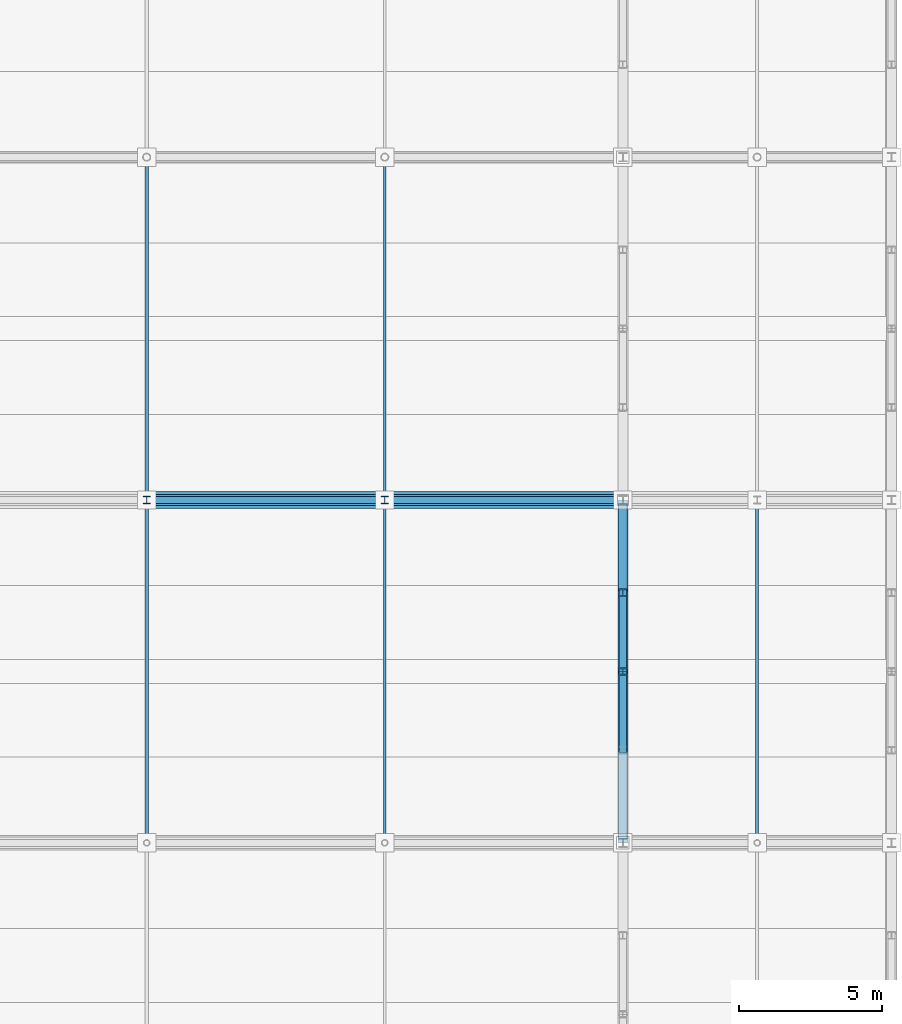
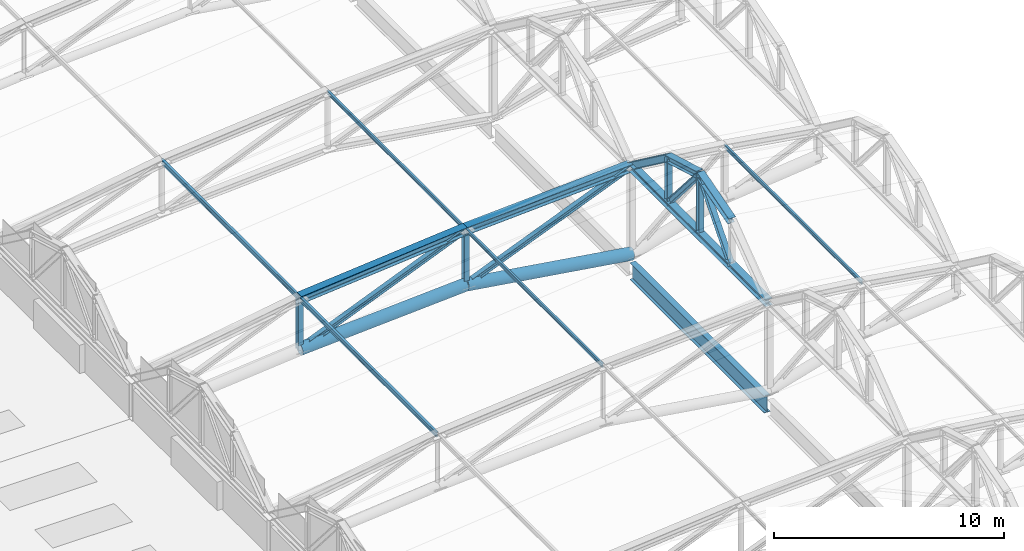
# One storey, part 32 of 117: 21 members, 1 beam.
"""IFC4 building model written with IfcOpenShell, lengths in metres."""

import ifcopenshell
import ifcopenshell.guid

model = None  # the IFC model being written
_history = None  # IfcOwnerHistory: only IFC2X3 demands one
_inside = {}  # id of a spatial element -> (the spatial element, [elements in it])
_under = {}  # id of a project, library or spatial element -> (it, [spatial elements below it])
_declared = {}  # id of a project -> (the project, [libraries it declares])
_typed = {}  # id of a type object -> (the type object, [elements of that type])
_made_of = {}  # id of a material, layer set ... -> (it, [elements and type objects made of it])


def new_model(schema):
    """Start an empty IFC model of exactly this schema.

    Asked for "IFC4X3", IfcOpenShell would pick the latest addendum, in which some entities
    have other attributes; the version numbers below select the first issue.
    IFC2X3 requires an IfcOwnerHistory on every rooted entity: one is made here for all.
    """
    global model, _history
    if schema == "IFC4X3":
        model = ifcopenshell.file(schema_version=(4, 3, 0, 0))
    else:
        model = ifcopenshell.file(schema=schema)
    _inside.clear()
    _under.clear()
    _declared.clear()
    _typed.clear()
    _made_of.clear()
    _history = None
    if model.schema == "IFC2X3":
        org = make("IfcOrganization", Name="unknown")
        user = make(
            "IfcPersonAndOrganization",
            ThePerson=make("IfcPerson", FamilyName="unknown"),
            TheOrganization=org,
        )
        app = make(
            "IfcApplication",
            ApplicationDeveloper=org,
            Version="unknown",
            ApplicationFullName="unknown",
            ApplicationIdentifier="unknown",
        )
        _history = make(
            "IfcOwnerHistory",
            OwningUser=user,
            OwningApplication=app,
            ChangeAction="ADDED",
            CreationDate=0,
        )
    return model


def make(cls, **values):
    """One entity of the class cls with the attributes given. An attribute that is None is left unset."""
    return model.create_entity(
        cls, **{name: value for name, value in values.items() if value is not None}
    )


def rooted(cls, **values):
    """An entity with a GlobalId (a new one), such as an element, a storey or a relation."""
    return make(cls, GlobalId=ifcopenshell.guid.new(), OwnerHistory=_history, **values)


def si_unit(unit_type, name, prefix=None):
    """IfcSIUnit, for example si_unit("LENGTHUNIT", "METRE", prefix="MILLI")."""
    return make("IfcSIUnit", UnitType=unit_type, Prefix=prefix, Name=name)


def assignment(units):
    """IfcUnitAssignment: the units of a project."""
    return None if units is None else make("IfcUnitAssignment", Units=units)


def point(xyz):
    """IfcCartesianPoint."""
    return None if xyz is None else make("IfcCartesianPoint", Coordinates=xyz)


def direction(xyz):
    """IfcDirection."""
    return None if xyz is None else make("IfcDirection", DirectionRatios=xyz)


def frame(location, z_axis=None, x_axis=None):
    """IfcAxis2Placement3D, a coordinate frame: its origin and axes. An axis left out is left unset."""
    return make(
        "IfcAxis2Placement3D",
        Location=point(location),
        Axis=direction(z_axis),
        RefDirection=direction(x_axis),
    )


def frame_2d(location, x_axis=None):
    """IfcAxis2Placement2D, a coordinate frame in the plane: its origin and x axis."""
    return make(
        "IfcAxis2Placement2D", Location=point(location), RefDirection=direction(x_axis)
    )


def origin():
    """The frame at (0, 0, 0) with its axes left unset."""
    return frame((0.0, 0.0, 0.0))


def origin_2d():
    """The frame at (0, 0) in the plane with its x axis left unset."""
    return frame_2d((0.0, 0.0))


def place(relative_to, where):
    """IfcLocalPlacement: puts the frame where relative to a parent placement (None: the world)."""
    return make(
        "IfcLocalPlacement", PlacementRelTo=relative_to, RelativePlacement=where
    )


def context(
    kind, dimensions, precision=None, world=None, true_north=None, identifier=None
):
    """IfcGeometricRepresentationContext, for example the 3D "Model" context."""
    return make(
        "IfcGeometricRepresentationContext",
        ContextIdentifier=identifier,
        ContextType=kind,
        CoordinateSpaceDimension=dimensions,
        Precision=precision,
        WorldCoordinateSystem=world,
        TrueNorth=true_north,
    )


def subcontext(parent, identifier, kind, view, scale=None):
    """IfcGeometricRepresentationSubContext, for example "Body" below "Model"."""
    return make(
        "IfcGeometricRepresentationSubContext",
        ContextIdentifier=identifier,
        ContextType=kind,
        ParentContext=parent,
        TargetScale=scale,
        TargetView=view,
    )


def project(units=None, contexts=None):
    """IfcProject with its units and contexts."""
    return rooted(
        "IfcProject",
        Name="project",
        RepresentationContexts=contexts,
        UnitsInContext=assignment(units),
    )


def spatial(cls, under=None, at=None, **own):
    """A site, building, storey or space (cls), placed at a placement, below another one or the project."""
    s = rooted(cls, ObjectPlacement=at, **own)
    if under is not None:
        _under.setdefault(under.id(), (under, []))[1].append(s)
    return s


def profile(cls, at=None, kind="AREA", **sizes):
    """A parametric profile (cls). Its sizes go by their IFC names, for example OverallWidth=200.0."""
    return make(cls, ProfileType=kind, Position=at, **sizes)


def hollow_circle(**sizes):
    """IfcCircleHollowProfileDef."""
    return profile("IfcCircleHollowProfileDef", **sizes)


def i_section(**sizes):
    """IfcIShapeProfileDef."""
    return profile("IfcIShapeProfileDef", **sizes)


def extrude(swept, where, along, depth):
    """IfcExtrudedAreaSolid: the profile swept, set in the frame where, extruded along a direction by depth."""
    return make(
        "IfcExtrudedAreaSolid",
        SweptArea=swept,
        Position=where,
        ExtrudedDirection=direction(along),
        Depth=depth,
    )


def shape(context_of_items, identifier, shape_type, items):
    """IfcShapeRepresentation: the items that make up one representation, for example the "Body"."""
    return make(
        "IfcShapeRepresentation",
        ContextOfItems=context_of_items,
        RepresentationIdentifier=identifier,
        RepresentationType=shape_type,
        Items=items,
    )


def material(Name=None, Category=None):
    """IfcMaterial."""
    return make("IfcMaterial", Name=Name, Category=Category)


def material_profile(
    of_material, cross_section, Name=None, Category=None, Priority=None
):
    """IfcMaterialProfile: a cross section and its material."""
    return make(
        "IfcMaterialProfile",
        Name=Name,
        Material=of_material,
        Profile=cross_section,
        Priority=Priority,
        Category=Category,
    )


def profile_set(profiles, Name=None, composite=None):
    """IfcMaterialProfileSet."""
    return make(
        "IfcMaterialProfileSet",
        Name=Name,
        MaterialProfiles=profiles,
        CompositeProfile=composite,
    )


def made_of(thing, what):
    """Note that an element or type object is made of a material, layer set ...; save() writes the relation."""
    if what is not None:
        _made_of.setdefault(what.id(), (what, []))[1].append(thing)
    return thing


def type_object(cls, material=None, **own):
    """A type object (cls), such as IfcWallType, which elements share."""
    return made_of(rooted(cls, **own), material)


def element(
    cls,
    number,
    at=None,
    inside=None,
    cuts=None,
    type_object=None,
    material=None,
    context=None,
    identifier="Body",
    shape_type=None,
    held_by="IfcProductDefinitionShape",
    body=None,
    shapes=None,
    **own,
):
    """One element of the class cls, such as IfcWall. Its Tag is "e" and its number.

    at: its placement. inside: the storey or other place that contains it. cuts: it is an
    opening in that element (IfcRelVoidsElement). A single representation is given by context,
    identifier, shape_type and body (its items); several are given by shapes. held_by: the class
    of the entity that holds the representations. save() writes the other relations.
    """
    e = rooted(cls, Tag="e%d" % number, ObjectPlacement=at, **own)
    if body is not None:
        shapes = [shape(context, identifier, shape_type, body)]
    if shapes is not None:
        e.Representation = make(held_by, Representations=shapes)
    if inside is not None:
        _inside.setdefault(inside.id(), (inside, []))[1].append(e)
    if cuts is not None:
        rooted(
            "IfcRelVoidsElement", RelatingBuildingElement=cuts, RelatedOpeningElement=e
        )
    if type_object is not None:
        _typed.setdefault(type_object.id(), (type_object, []))[1].append(e)
    return made_of(e, material)


def aggregate(whole, parts):
    """IfcRelAggregates: a whole, such as a stair, and the parts it consists of."""
    return rooted("IfcRelAggregates", RelatingObject=whole, RelatedObjects=parts)


def save(model, path):
    """Write the relations noted so far, then the file.

    IfcRelAggregates (storeys below a building ...), IfcRelContainedInSpatialStructure (elements
    in a storey), IfcRelDefinesByType, IfcRelAssociatesMaterial and IfcRelDeclares: one each for
    every whole, place, type object, material and project.
    """
    for whole, parts in _under.values():
        aggregate(whole, parts)
    for where, things in _inside.values():
        rooted(
            "IfcRelContainedInSpatialStructure",
            RelatedElements=things,
            RelatingStructure=where,
        )
    for kind, things in _typed.values():
        rooted("IfcRelDefinesByType", RelatedObjects=things, RelatingType=kind)
    for what, things in _made_of.values():
        rooted("IfcRelAssociatesMaterial", RelatedObjects=things, RelatingMaterial=what)
    for by, libraries in _declared.values():
        rooted("IfcRelDeclares", RelatingContext=by, RelatedDefinitions=libraries)
    model.write(path)


model = new_model("IFC4")

# Units and contexts
model_context = context("Model", 3, precision=1e-05, world=origin(), true_north=direction((0.0, 1.0)))
body_context = subcontext(model_context, "Body", "Model", "MODEL_VIEW")
ifc_project = project(units=[si_unit("LENGTHUNIT", "METRE"), si_unit("AREAUNIT", "SQUARE_METRE"), si_unit("VOLUMEUNIT", "CUBIC_METRE"), si_unit("PLANEANGLEUNIT", "RADIAN"), si_unit("MASSUNIT", "GRAM", prefix="KILO")], contexts=[model_context])

# Site, building, storey
site_placement = place(None, origin())
site = spatial("IfcSite", under=ifc_project, at=site_placement, CompositionType="ELEMENT")
building_placement = place(site_placement, origin())
building = spatial("IfcBuilding", under=site, at=building_placement, Name="Kazenohara Klinker Stadium", CompositionType="ELEMENT")
storey_placement = place(building_placement, frame((0.0, 0.0, 31.199951171875)))
storey = spatial("IfcBuildingStorey", under=building, at=storey_placement, Name="RF", CompositionType="ELEMENT", Elevation=31.199951171875)

# Members
ifc_material = material(Name="Steel S355", Category="steel")
ifc_material_profile_1 = material_profile(ifc_material, i_section(OverallWidth=0.25, OverallDepth=0.25, WebThickness=0.009033203125, FlangeThickness=0.013916015625, FilletRadius=0.012939453125, at=origin_2d()), Name="H-250x250x9x14")
ifc_profile_set_1 = profile_set([ifc_material_profile_1], Name="Steel S355")
member_type_1 = type_object("IfcMemberType", Name="MEM-BRC02", PredefinedType="BRACE", material=ifc_profile_set_1)
member_1_placement = place(storey_placement, frame((32.333251953125, 84.0, 0.75), z_axis=(0.923953834256, 0.0, 0.382504002808), x_axis=(0.0, 1.0, 0.0)))
element("IfcMember", 1, at=member_1_placement, inside=storey, type_object=member_type_1, Name="ROOF TRUSS RT-W04 web diagonal 2", PredefinedType="BRACE", context=body_context, shape_type="SweptSolid", body=[
    extrude(i_section(OverallWidth=0.25, OverallDepth=0.25, WebThickness=0.009033203125, FlangeThickness=0.013916015625, FilletRadius=0.012939453125, at=origin_2d()), origin(), (0.0, 0.0, 1.0), 9.019287109375),
])
member_2_placement = place(storey_placement, frame((40.666748046875, 84.0, 1.25), z_axis=(0.925893541001, 0.0, 0.377784529503), x_axis=(0.0, 1.0, 0.0)))
element("IfcMember", 2, at=member_2_placement, inside=storey, type_object=member_type_1, Name="ROOF TRUSS RT-W04 web diagonal 3", PredefinedType="BRACE", context=body_context, shape_type="SweptSolid", body=[
    extrude(i_section(OverallWidth=0.25, OverallDepth=0.25, WebThickness=0.009033203125, FlangeThickness=0.013916015625, FilletRadius=0.012939453125, at=origin_2d()), origin(), (0.0, 0.0, 1.0), 9.000244140625),
])
ifc_material_profile_2 = material_profile(ifc_material, i_section(OverallWidth=0.39990234375, OverallDepth=0.39990234375, WebThickness=0.012939453125, FlangeThickness=0.02099609375, FilletRadius=0.02197265625, at=origin_2d()), Name="H-400x400x13x21")
ifc_profile_set_2 = profile_set([ifc_material_profile_2], Name="Steel S355")
member_type_2 = type_object("IfcMemberType", Name="MEM-CHD01", PredefinedType="CHORD", material=ifc_profile_set_2)
member_3_placement = place(storey_placement, frame((32.333251953125, 84.0, 3.449951171875), z_axis=(0.995974595139, 0.0, 0.08963596286), x_axis=(0.0, 1.0, 0.0)))
element("IfcMember", 3, at=member_3_placement, inside=storey, type_object=member_type_2, Name="ROOF TRUSS RT-W04 top arched chord 2", PredefinedType="CHORD", context=body_context, shape_type="SweptSolid", body=[
    extrude(i_section(OverallWidth=0.39990234375, OverallDepth=0.39990234375, WebThickness=0.012939453125, FlangeThickness=0.02099609375, FilletRadius=0.02197265625, at=origin_2d()), origin(), (0.0, 0.0, 1.0), 8.3671875),
])
member_4_placement = place(storey_placement, frame((40.666748046875, 84.0, 4.199951171875), z_axis=(0.99854389216, 0.0, 0.053945300359), x_axis=(0.0, 1.0, 0.0)))
element("IfcMember", 4, at=member_4_placement, inside=storey, type_object=member_type_2, Name="ROOF TRUSS RT-W04 top arched chord 3", PredefinedType="CHORD", context=body_context, shape_type="SweptSolid", body=[
    extrude(i_section(OverallWidth=0.39990234375, OverallDepth=0.39990234375, WebThickness=0.012939453125, FlangeThickness=0.02099609375, FilletRadius=0.02197265625, at=origin_2d()), origin(), (0.0, 0.0, 1.0), 8.345458984375),
])
ifc_material_profile_3 = material_profile(ifc_material, i_section(OverallWidth=0.35009765625, OverallDepth=0.35009765625, WebThickness=0.011962890625, FlangeThickness=0.01904296875, FilletRadius=0.012939453125, at=origin_2d()), Name="H-350x350x12x19")
ifc_profile_set_3 = profile_set([ifc_material_profile_3], Name="Steel S355")
member_type_3 = type_object("IfcMemberType", Name="MEM-CHD02", PredefinedType="CHORD", material=ifc_profile_set_3)
member_5_placement = place(storey_placement, frame((49.0, 72.0, 4.650146484375), z_axis=(0.0, 1.0, 0.0), x_axis=(-1.0, 0.0, 0.0)))
element("IfcMember", 5, at=member_5_placement, inside=storey, type_object=member_type_3, Name="Barrel arch tie chord TC02 W-03-N3", PredefinedType="CHORD", context=body_context, shape_type="SweptSolid", body=[
    extrude(i_section(OverallWidth=0.35009765625, OverallDepth=0.35009765625, WebThickness=0.011962890625, FlangeThickness=0.01904296875, FilletRadius=0.012939453125, at=origin_2d()), origin(), (0.0, 0.0, 1.0), 12.0),
])
for number, where, z_axis, x_axis, name in (
    (6, (49.0, 75.239990234375, 7.050048828125), (0.0, 0.960462085918, 0.27841081429), (-1.0, 0.0, 0.0), "Barrel arch top rib TC02 W-03-N3-S2"),
    (7, (49.0, 78.0, 7.85009765625), (0.0, 0.960462085918, -0.27841081429), (-1.0, 0.0, 0.0), "Barrel arch top rib TC02 W-03-N3-S3"),
):
    element("IfcMember", number, at=place(storey_placement, frame(where, z_axis=z_axis, x_axis=x_axis)), inside=storey, type_object=member_type_3, Name=name, PredefinedType="CHORD", context=body_context, shape_type="SweptSolid", body=[
        extrude(i_section(OverallWidth=0.35009765625, OverallDepth=0.35009765625, WebThickness=0.011962890625, FlangeThickness=0.01904296875, FilletRadius=0.012939453125, at=origin_2d()), origin(), (0.0, 0.0, 1.0), 2.87353515625),
    ])
member_6_placement = place(storey_placement, frame((49.0, 80.760009765625, 7.050048828125), z_axis=(0.0, 0.803567919639, -0.595213069856), x_axis=(-1.0, 0.0, 0.0)))
element("IfcMember", 8, at=member_6_placement, inside=storey, type_object=member_type_3, Name="Barrel arch top rib TC02 W-03-N3-S4", PredefinedType="CHORD", context=body_context, shape_type="SweptSolid", body=[
    extrude(i_section(OverallWidth=0.35009765625, OverallDepth=0.35009765625, WebThickness=0.011962890625, FlangeThickness=0.01904296875, FilletRadius=0.012939453125, at=origin_2d()), origin(), (0.0, 0.0, 1.0), 4.031982421875),
])
ifc_material_profile_4 = material_profile(ifc_material, hollow_circle(Radius=0.3046875, WallThickness=0.01611328125, at=origin_2d()), Name="CHS-609.6x16")
ifc_profile_set_4 = profile_set([ifc_material_profile_4], Name="Steel S355")
member_type_4 = type_object("IfcMemberType", Name="MEM-CHD05", PredefinedType="CHORD", material=ifc_profile_set_4)
member_7_placement = place(storey_placement, frame((32.333251953125, 84.0, 0.75), z_axis=(0.998204915398, 0.0, 0.059891125175), x_axis=(0.0, 1.0, 0.0)))
element("IfcMember", 9, at=member_7_placement, inside=storey, type_object=member_type_4, Name="ROOF TRUSS RT-W04 bottom arched chord 2", PredefinedType="CHORD", context=body_context, shape_type="SweptSolid", body=[
    extrude(hollow_circle(Radius=0.3046875, WallThickness=0.01611328125, at=origin_2d()), origin(), (0.0, 0.0, 1.0), 8.348388671875),
])
member_8_placement = place(storey_placement, frame((40.666748046875, 84.0, 1.25), z_axis=(0.988585006916, 0.0, -0.15066414338), x_axis=(0.0, 1.0, 0.0)))
element("IfcMember", 10, at=member_8_placement, inside=storey, type_object=member_type_4, Name="ROOF TRUSS RT-W04 bottom arched chord 3", PredefinedType="CHORD", context=body_context, shape_type="SweptSolid", body=[
    extrude(hollow_circle(Radius=0.3046875, WallThickness=0.01611328125, at=origin_2d()), origin(), (0.0, 0.0, 1.0), 8.429443359375),
])
ifc_material_profile_5 = material_profile(ifc_material, i_section(OverallWidth=0.125, OverallDepth=0.25, WebThickness=0.006103515625, FlangeThickness=0.009033203125, FilletRadius=0.008056640625, at=origin_2d()), Name="H-250x125x6x9")
ifc_profile_set_5 = profile_set([ifc_material_profile_5], Name="Steel S355")
member_type_5 = type_object("IfcMemberType", Name="MEM-PUR01", PredefinedType="PURLIN", material=ifc_profile_set_5)
for number, where, z_axis, x_axis, name in (
    (11, (32.333251953125, 72.0, 3.469970703125), (0.0, 1.0, 0.0), (-1.0, 0.0, 0.0), "Canopy valley tie purlin PR01 W-03-N1"),
    (12, (32.333251953125, 84.0, 3.469970703125), (0.0, 1.0, 0.0), (-1.0, 0.0, 0.0), "Canopy valley tie purlin PR01 W-04-N1"),
):
    element("IfcMember", number, at=place(storey_placement, frame(where, z_axis=z_axis, x_axis=x_axis)), inside=storey, type_object=member_type_5, Name=name, PredefinedType="PURLIN", context=body_context, shape_type="SweptSolid", body=[
        extrude(i_section(OverallWidth=0.125, OverallDepth=0.25, WebThickness=0.006103515625, FlangeThickness=0.009033203125, FilletRadius=0.008056640625, at=origin_2d()), origin(), (0.0, 0.0, 1.0), 12.0),
    ])
ifc_material_profile_6 = material_profile(ifc_material, i_section(OverallWidth=0.10009765625, OverallDepth=0.199951171875, WebThickness=0.005615234375, FlangeThickness=0.008056640625, FilletRadius=0.008056640625, at=origin_2d()), Name="H-200x100x5.5x8")
ifc_profile_set_6 = profile_set([ifc_material_profile_6], Name="Steel S355")
member_type_6 = type_object("IfcMemberType", Name="MEM-PUR02", PredefinedType="PURLIN", material=ifc_profile_set_6)
for number, where, z_axis, x_axis, name in (
    (13, (40.666748046875, 72.0, 4.219970703125), (0.0, 1.0, 0.0), (-1.0, 0.0, 0.0), "Canopy valley tie purlin PR02 W-03-N2"),
    (14, (53.699951171875, 72.0, 4.070068359375), (0.0, 1.0, 0.0), (-1.0, 0.0, 0.0), "Canopy valley tie purlin PR02 W-03-N4"),
    (15, (40.666748046875, 84.0, 4.219970703125), (0.0, 1.0, 0.0), (-1.0, 0.0, 0.0), "Canopy valley tie purlin PR02 W-04-N2"),
):
    element("IfcMember", number, at=place(storey_placement, frame(where, z_axis=z_axis, x_axis=x_axis)), inside=storey, type_object=member_type_6, Name=name, PredefinedType="PURLIN", context=body_context, shape_type="SweptSolid", body=[
        extrude(i_section(OverallWidth=0.10009765625, OverallDepth=0.199951171875, WebThickness=0.005615234375, FlangeThickness=0.008056640625, FilletRadius=0.008056640625, at=origin_2d()), origin(), (0.0, 0.0, 1.0), 12.0),
    ])
ifc_material_profile_7 = material_profile(ifc_material, i_section(OverallWidth=0.25, OverallDepth=0.25, WebThickness=0.009033203125, FlangeThickness=0.013916015625, FilletRadius=0.012939453125, at=origin_2d()), Name="H-250x250x9x14")
ifc_profile_set_7 = profile_set([ifc_material_profile_7], Name="Steel S355")
member_type_7 = type_object("IfcMemberType", Name="MEM-STR02", PredefinedType="STRUT", material=ifc_profile_set_7)
member_9_placement = place(storey_placement, frame((32.333251953125, 84.0, 0.75), z_axis=(0.0, 0.0, 1.0), x_axis=(1.0, 0.0, 0.0)))
element("IfcMember", 16, at=member_9_placement, inside=storey, type_object=member_type_7, Name="ROOF TRUSS RT-W04 web post 2", PredefinedType="STRUT", context=body_context, shape_type="SweptSolid", body=[
    extrude(i_section(OverallWidth=0.25, OverallDepth=0.25, WebThickness=0.009033203125, FlangeThickness=0.013916015625, FilletRadius=0.012939453125, at=origin_2d()), origin(), (0.0, 0.0, 1.0), 2.699951171875),
])
member_10_placement = place(storey_placement, frame((40.666748046875, 84.0, 1.25), z_axis=(0.0, 0.0, 1.0), x_axis=(1.0, 0.0, 0.0)))
element("IfcMember", 17, at=member_10_placement, inside=storey, type_object=member_type_7, Name="ROOF TRUSS RT-W04 web post 3", PredefinedType="STRUT", context=body_context, shape_type="SweptSolid", body=[
    extrude(i_section(OverallWidth=0.25, OverallDepth=0.25, WebThickness=0.009033203125, FlangeThickness=0.013916015625, FilletRadius=0.012939453125, at=origin_2d()), origin(), (0.0, 0.0, 1.0), 2.949951171875),
])
member_11_placement = place(storey_placement, frame((49.0, 78.0, 4.650146484375), z_axis=(0.0, 0.0, 1.0), x_axis=(1.0, 0.0, 0.0)))
element("IfcMember", 18, at=member_11_placement, inside=storey, type_object=member_type_7, Name="Barrel arch web post TS02 W-03-N3-P2", PredefinedType="STRUT", context=body_context, shape_type="SweptSolid", body=[
    extrude(i_section(OverallWidth=0.25, OverallDepth=0.25, WebThickness=0.009033203125, FlangeThickness=0.013916015625, FilletRadius=0.012939453125, at=origin_2d()), origin(), (0.0, 0.0, 1.0), 3.199951171875),
])
member_12_placement = place(storey_placement, frame((49.0, 80.760009765625, 4.650146484375), z_axis=(0.0, 0.0, 1.0), x_axis=(1.0, 0.0, 0.0)))
element("IfcMember", 19, at=member_12_placement, inside=storey, type_object=member_type_7, Name="Barrel arch web post TS02 W-03-N3-P3", PredefinedType="STRUT", context=body_context, shape_type="SweptSolid", body=[
    extrude(i_section(OverallWidth=0.25, OverallDepth=0.25, WebThickness=0.009033203125, FlangeThickness=0.013916015625, FilletRadius=0.012939453125, at=origin_2d()), origin(), (0.0, 0.0, 1.0), 2.39990234375),
])
for number, where, z_axis, x_axis, name in (
    (20, (49.0, 75.239990234375, 4.650146484375), (0.0, 0.653133887971, 0.757242447558), (-1.0, 0.0, 0.0), "Barrel arch web diagonal TS02 W-03-N3-D1"),
    (21, (49.0, 80.760009765625, 4.650146484375), (0.0, -0.653133887971, 0.757242447558), (1.0, 0.0, 0.0), "Barrel arch web diagonal TS02 W-03-N3-D2"),
):
    element("IfcMember", number, at=place(storey_placement, frame(where, z_axis=z_axis, x_axis=x_axis)), inside=storey, type_object=member_type_7, Name=name, PredefinedType="STRUT", context=body_context, shape_type="SweptSolid", body=[
        extrude(i_section(OverallWidth=0.25, OverallDepth=0.25, WebThickness=0.009033203125, FlangeThickness=0.013916015625, FilletRadius=0.012939453125, at=origin_2d()), origin(), (0.0, 0.0, 1.0), 4.225830078125),
    ])

# Beam
ifc_material_profile_8 = material_profile(ifc_material, i_section(OverallWidth=0.300048828125, OverallDepth=0.89990234375, WebThickness=0.01611328125, FlangeThickness=0.028076171875, FilletRadius=0.02197265625, at=origin_2d()), Name="H-900x300x16x28")
ifc_profile_set_8 = profile_set([ifc_material_profile_8], Name="Steel S355")
beam_type = type_object("IfcBeamType", Name="RING-RB01", PredefinedType="USERDEFINED", material=ifc_profile_set_8)
beam_placement = place(storey_placement, frame((49.0, 72.139892578125, -0.820068359375), z_axis=(0.0, 1.0, 0.0), x_axis=(-1.0, 0.0, 0.0)))
element("IfcBeam", 22, at=beam_placement, inside=storey, type_object=beam_type, Name="Roof ring beam RB01 W-IN G-H", ObjectType="RING BEAM", PredefinedType="USERDEFINED", context=body_context, shape_type="SweptSolid", body=[
    extrude(i_section(OverallWidth=0.300048828125, OverallDepth=0.89990234375, WebThickness=0.01611328125, FlangeThickness=0.028076171875, FilletRadius=0.02197265625, at=origin_2d()), origin(), (0.0, 0.0, 1.0), 11.72021484375),
])

save(model, "model.ifc")
